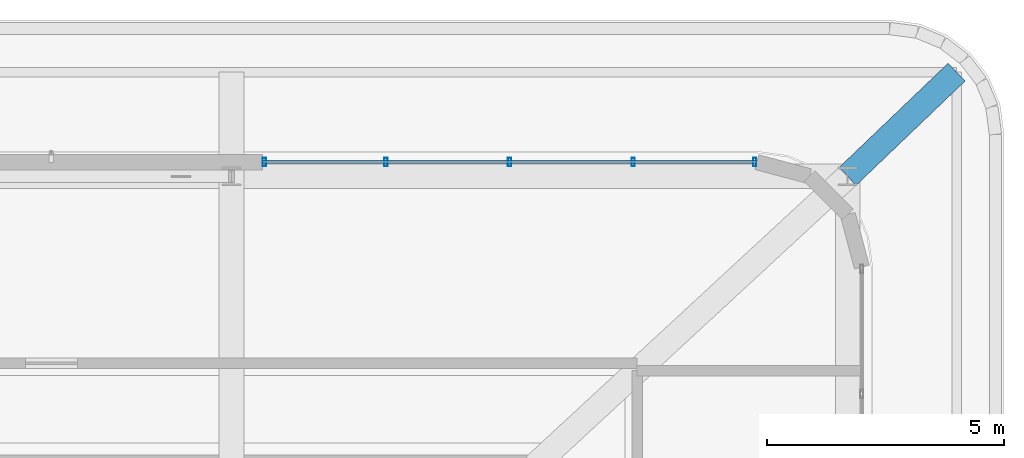
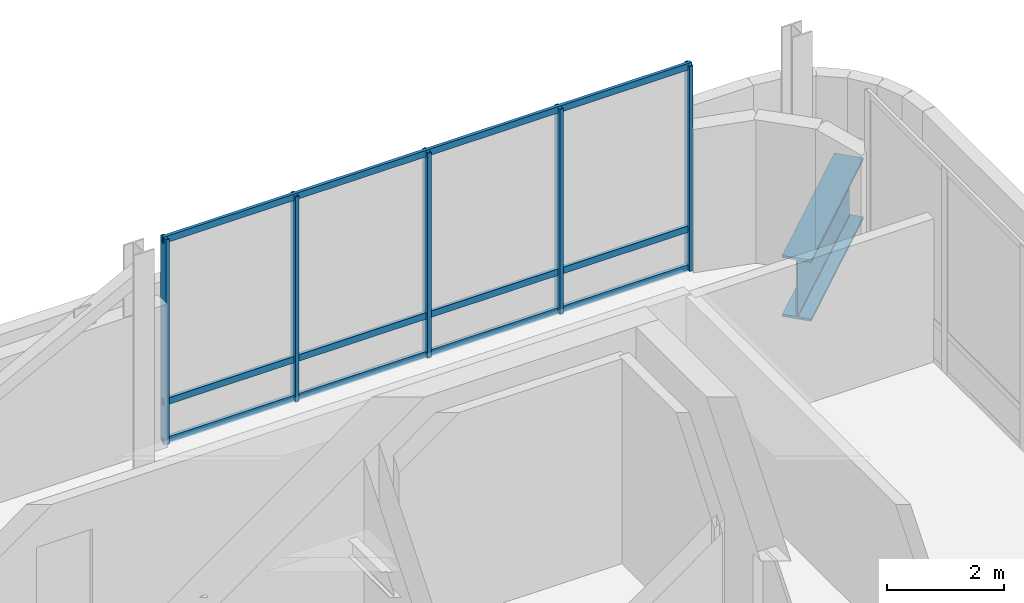
# One storey, part 19 of 28: 8 members, 1 beam, 1 element without a shape of its own.
"""IFC4 building model written with IfcOpenShell, lengths in metres."""

from ifc_helpers import new_model, si_unit, direction, frame, origin, origin_2d, place, context, subcontext, project, spatial, hollow_rectangle, i_section, extrude, material, material_profile, profile_set, type_object, element, aggregate, save


model = new_model("IFC4")

# Units and contexts
model_context = context("Model", 3, precision=1e-05, world=origin(), true_north=direction((0.0, 1.0)))
body_context = subcontext(model_context, "Body", "Model", "MODEL_VIEW")
ifc_project = project(units=[si_unit("LENGTHUNIT", "METRE"), si_unit("AREAUNIT", "SQUARE_METRE"), si_unit("VOLUMEUNIT", "CUBIC_METRE"), si_unit("PLANEANGLEUNIT", "RADIAN"), si_unit("MASSUNIT", "GRAM", prefix="KILO")], contexts=[model_context])

# Site, building, storey
site_placement = place(None, origin())
site = spatial("IfcSite", under=ifc_project, at=site_placement, CompositionType="ELEMENT")
building_placement = place(site_placement, origin())
building = spatial("IfcBuilding", under=site, at=building_placement, Name="Punatoya Terracotta Tower", CompositionType="ELEMENT")
storey_placement = place(building_placement, frame((0.0, 0.0, 352.800048828125)))
storey = spatial("IfcBuildingStorey", under=building, at=storey_placement, Name="L83", CompositionType="ELEMENT", Elevation=352.800048828125)

# Beam
ifc_material_1 = material(Name="Steel S460", Category="steel")
ifc_material_profile_1 = material_profile(ifc_material_1, i_section(OverallWidth=0.52001953125, OverallDepth=1.280029296875, WebThickness=0.031982421875, FlangeThickness=0.050048828125, FilletRadius=0.01806640625, at=origin_2d()))
ifc_profile_set_1 = profile_set([ifc_material_profile_1], Name="Steel S460")
beam_type = type_object("IfcBeamType", Name="BM-TG-NCK", PredefinedType="BEAM", material=ifc_profile_set_1)
beam_placement = place(storey_placement, frame((19.10009765625, 17.5, -0.920166015625), z_axis=(-0.722656850058, -0.691206971221, 0.0), x_axis=(0.691206971221, -0.722656850058, 0.0)))
element("IfcBeam", 1, at=beam_placement, inside=storey, type_object=beam_type, Name="BM-L83-CD3A", PredefinedType="BEAM", context=body_context, shape_type="SweptSolid", body=[
    extrude(i_section(OverallWidth=0.52001953125, OverallDepth=1.280029296875, WebThickness=0.031982421875, FlangeThickness=0.050048828125, FilletRadius=0.01806640625, at=origin_2d()), origin(), (0.0, 0.0, 1.0), 3.182861328125),
])

# Curtain wall, members
ifc_material_2 = material(Name="Aluminium 6063-T6 + Double Low-E Glass", Category="aluminium")
curtain_wall_type = type_object("IfcCurtainWallType", Name="CW-CRN", PredefinedType="NOTDEFINED", material=ifc_material_2)
curtain_wall_placement = place(storey_placement, origin())
curtain_wall = element("IfcCurtainWall", 2, at=curtain_wall_placement, inside=storey, type_object=curtain_wall_type, Name="L83 Curtain Wall CW-L83-N09-1", PredefinedType="NOTDEFINED")
ifc_material_3 = material(Name="Aluminium 6063-T6", Category="aluminium")
ifc_material_profile_2 = material_profile(ifc_material_3, hollow_rectangle(XDim=0.070068359375, YDim=0.179931640625, WallThickness=0.00390625, at=origin_2d()))
ifc_profile_set_2 = profile_set([ifc_material_profile_2], Name="Aluminium 6063-T6")
member_type_1 = type_object("IfcMemberType", Name="CW-MUL-M3", PredefinedType="MULLION", material=ifc_profile_set_2)
member_1_placement = place(storey_placement, frame((14.841796875, 15.60009765625, 0.0), z_axis=(0.0, 0.0, 1.0), x_axis=(1.0, 0.0, 0.0)))
member_1 = element("IfcMember", 3, at=member_1_placement, type_object=member_type_1, Name="CW-L83-N09-1 Mullion 00", PredefinedType="MULLION", context=body_context, shape_type="SweptSolid", body=[
    extrude(hollow_rectangle(XDim=0.070068359375, YDim=0.179931640625, WallThickness=0.00390625, at=origin_2d()), origin(), (0.0, 0.0, 1.0), 4.280029296875),
])
member_2_placement = place(storey_placement, frame((12.277587890625, 15.60009765625, 0.0), z_axis=(0.0, 0.0, 1.0), x_axis=(1.0, 0.0, 0.0)))
member_2 = element("IfcMember", 4, at=member_2_placement, type_object=member_type_1, Name="CW-L83-N09-1 Mullion 01", PredefinedType="MULLION", context=body_context, shape_type="SweptSolid", body=[
    extrude(hollow_rectangle(XDim=0.070068359375, YDim=0.179931640625, WallThickness=0.00390625, at=origin_2d()), origin(), (0.0, 0.0, 1.0), 4.280029296875),
])
member_3_placement = place(storey_placement, frame((9.66845703125, 15.60009765625, 0.0), z_axis=(0.0, 0.0, 1.0), x_axis=(1.0, 0.0, 0.0)))
member_3 = element("IfcMember", 5, at=member_3_placement, type_object=member_type_1, Name="CW-L83-N09-1 Mullion 02", PredefinedType="MULLION", context=body_context, shape_type="SweptSolid", body=[
    extrude(hollow_rectangle(XDim=0.070068359375, YDim=0.179931640625, WallThickness=0.00390625, at=origin_2d()), origin(), (0.0, 0.0, 1.0), 4.280029296875),
])
member_4_placement = place(storey_placement, frame((7.05908203125, 15.60009765625, 0.0), z_axis=(0.0, 0.0, 1.0), x_axis=(1.0, 0.0, 0.0)))
member_4 = element("IfcMember", 6, at=member_4_placement, type_object=member_type_1, Name="CW-L83-N09-1 Mullion 03", PredefinedType="MULLION", context=body_context, shape_type="SweptSolid", body=[
    extrude(hollow_rectangle(XDim=0.070068359375, YDim=0.179931640625, WallThickness=0.00390625, at=origin_2d()), origin(), (0.0, 0.0, 1.0), 4.280029296875),
])
member_5_placement = place(storey_placement, frame((4.4951171875, 15.60009765625, 0.0), z_axis=(0.0, 0.0, 1.0), x_axis=(1.0, 0.0, 0.0)))
member_5 = element("IfcMember", 7, at=member_5_placement, type_object=member_type_1, Name="CW-L83-N09-1 Mullion 04", PredefinedType="MULLION", context=body_context, shape_type="SweptSolid", body=[
    extrude(hollow_rectangle(XDim=0.070068359375, YDim=0.179931640625, WallThickness=0.00390625, at=origin_2d()), origin(), (0.0, 0.0, 1.0), 4.280029296875),
])
ifc_material_profile_3 = material_profile(ifc_material_3, hollow_rectangle(XDim=0.06201171875, YDim=0.135009765625, WallThickness=0.00390625, at=origin_2d()))
ifc_profile_set_3 = profile_set([ifc_material_profile_3], Name="Aluminium 6063-T6")
member_type_2 = type_object("IfcMemberType", Name="CW-TRN-CRN", PredefinedType="USERDEFINED", material=ifc_profile_set_3)
member_6_placement = place(storey_placement, frame((14.886962890625, 15.60009765625, 0.0400390625), z_axis=(-1.0, 0.0, 0.0), x_axis=(0.0, -1.0, 0.0)))
member_6 = element("IfcMember", 8, at=member_6_placement, type_object=member_type_2, Name="CW-L83-N09-1 Transom 1", ObjectType="TRANSOM", PredefinedType="USERDEFINED", context=body_context, shape_type="SweptSolid", body=[
    extrude(hollow_rectangle(XDim=0.06201171875, YDim=0.135009765625, WallThickness=0.00390625, at=origin_2d()), origin(), (0.0, 0.0, 1.0), 10.43701171875),
])
member_7_placement = place(storey_placement, frame((14.886962890625, 15.60009765625, 0.849853515625), z_axis=(-1.0, 0.0, 0.0), x_axis=(0.0, -1.0, 0.0)))
member_7 = element("IfcMember", 9, at=member_7_placement, type_object=member_type_2, Name="CW-L83-N09-1 Transom 2", ObjectType="TRANSOM", PredefinedType="USERDEFINED", context=body_context, shape_type="SweptSolid", body=[
    extrude(hollow_rectangle(XDim=0.06201171875, YDim=0.135009765625, WallThickness=0.00390625, at=origin_2d()), origin(), (0.0, 0.0, 1.0), 10.43701171875),
])
member_8_placement = place(storey_placement, frame((14.886962890625, 15.60009765625, 4.239990234375), z_axis=(-1.0, 0.0, 0.0), x_axis=(0.0, -1.0, 0.0)))
member_8 = element("IfcMember", 10, at=member_8_placement, type_object=member_type_2, Name="CW-L83-N09-1 Transom 3", ObjectType="TRANSOM", PredefinedType="USERDEFINED", context=body_context, shape_type="SweptSolid", body=[
    extrude(hollow_rectangle(XDim=0.06201171875, YDim=0.135009765625, WallThickness=0.00390625, at=origin_2d()), origin(), (0.0, 0.0, 1.0), 10.43701171875),
])
aggregate(curtain_wall, [member_1, member_2, member_3, member_4, member_5, member_6, member_7, member_8])

save(model, "model.ifc")
